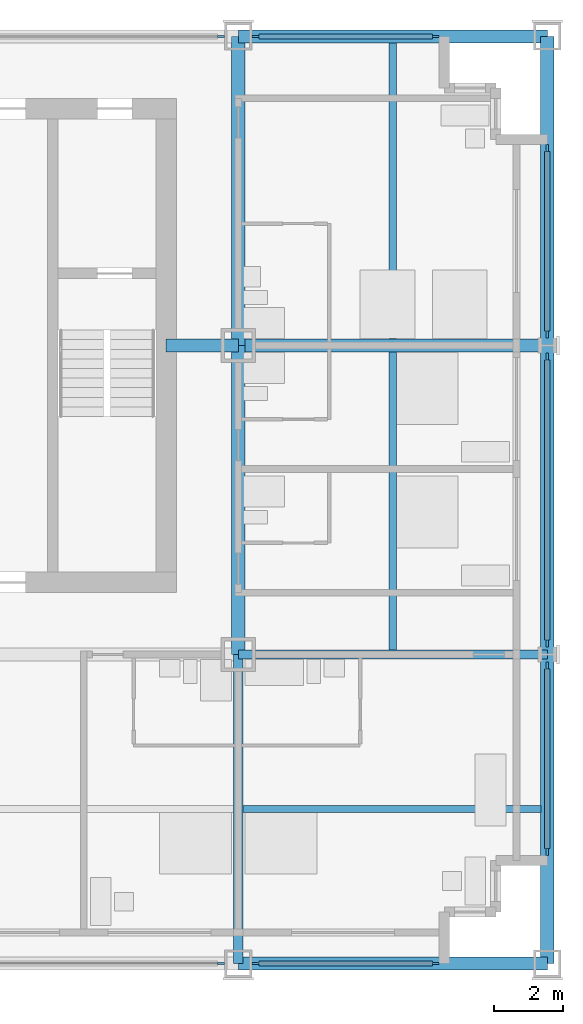
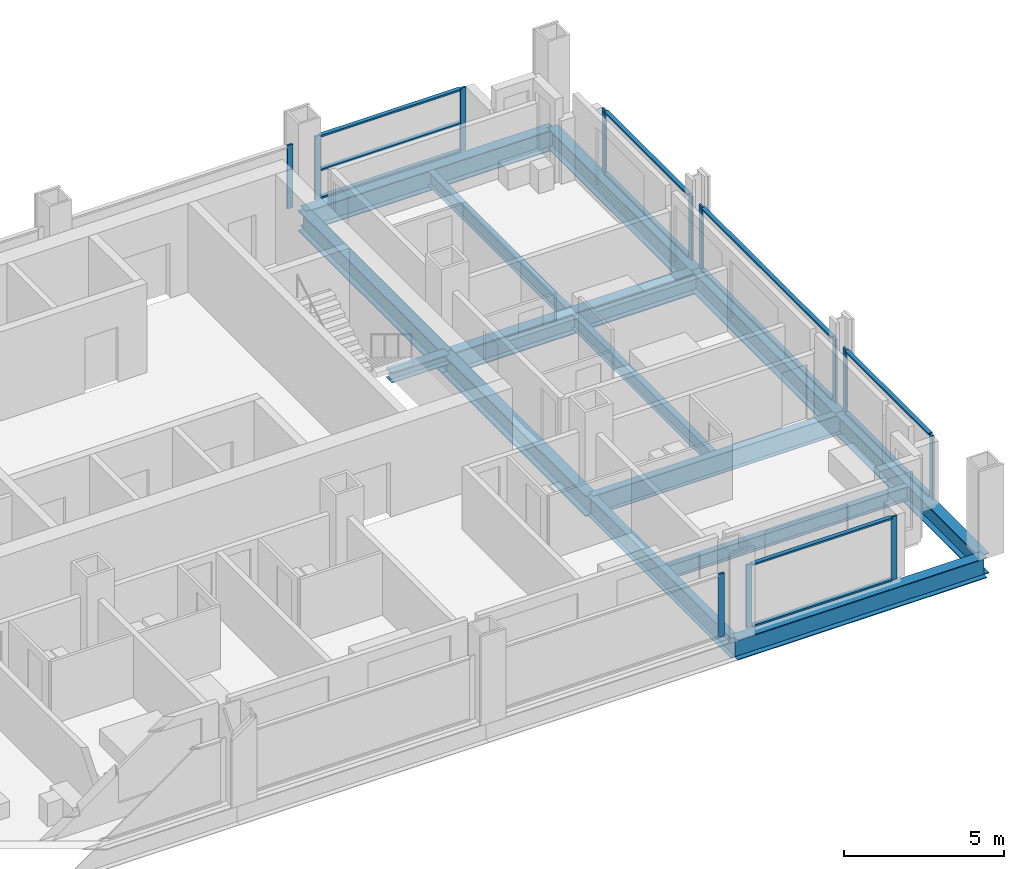
# One storey, part 5 of 13: 24 members, 13 beams, 7 elements without a shape of their own.
"""IFC4 building model written with IfcOpenShell, lengths in metres."""

from ifc_helpers import new_model, si_unit, direction, frame, origin, origin_2d, place, context, subcontext, project, spatial, rectangle, i_section, extrude, material, material_profile, profile_set, type_object, element, aggregate, save


model = new_model("IFC4")

# Units and contexts
model_context = context("Model", 3, precision=1e-05, world=origin(), true_north=direction((0.0, 1.0)))
body_context = subcontext(model_context, "Body", "Model", "MODEL_VIEW")
ifc_project = project(units=[si_unit("LENGTHUNIT", "METRE"), si_unit("AREAUNIT", "SQUARE_METRE"), si_unit("VOLUMEUNIT", "CUBIC_METRE"), si_unit("PLANEANGLEUNIT", "RADIAN"), si_unit("MASSUNIT", "GRAM", prefix="KILO")], contexts=[model_context])

# Site, building, storey
site_placement = place(None, origin())
site = spatial("IfcSite", under=ifc_project, at=site_placement, CompositionType="ELEMENT")
building_placement = place(site_placement, origin())
building = spatial("IfcBuilding", under=site, at=building_placement, Name="Loomwork Tower", CompositionType="ELEMENT")
storey_placement = place(building_placement, frame((0.0, 0.0, 163.800048828125)))
storey = spatial("IfcBuildingStorey", under=building, at=storey_placement, Name="L44", CompositionType="ELEMENT", Elevation=163.800048828125)

# Beams
ifc_material_1 = material(Name="Steel ASTM A992", Category="steel")
ifc_material_profile_1 = material_profile(ifc_material_1, i_section(OverallWidth=0.383544921875, OverallDepth=0.794921875, WebThickness=0.02099609375, FlangeThickness=0.0380859375, at=origin_2d()), Name="W30x235")
ifc_profile_set_1 = profile_set([ifc_material_profile_1], Name="Steel ASTM A992")
beam_type_1 = type_object("IfcBeamType", Name="CORE FLANK GIRDER W30x235", PredefinedType="BEAM", material=ifc_profile_set_1)
for number, where, z_axis, x_axis, name in (
    (1, (36.0, 18.0, -0.59765625), (1.0, 0.0, 0.0), (0.0, 1.0, 0.0), "Core Flank Girder F/6-F/7 L44"),
    (2, (36.0, 9.0, -0.59765625), (0.0, 1.0, 0.0), (-1.0, 0.0, 0.0), "Core Flank Girder E/6-F/6 L44"),
    (3, (36.0, 18.0, -0.59765625), (0.0, 1.0, 0.0), (-1.0, 0.0, 0.0), "Core Flank Girder F/6-G/6 L44"),
):
    element("IfcBeam", number, at=place(storey_placement, frame(where, z_axis=z_axis, x_axis=x_axis)), inside=storey, type_object=beam_type_1, Name=name, PredefinedType="BEAM", context=body_context, shape_type="SweptSolid", body=[
        extrude(i_section(OverallWidth=0.383544921875, OverallDepth=0.794921875, WebThickness=0.02099609375, FlangeThickness=0.0380859375, at=origin_2d()), origin(), (0.0, 0.0, 1.0), 9.0),
    ])

# Member
ifc_material_2 = material(Name="Steel ASTM A992", Category="steel")
ifc_material_profile_2 = material_profile(ifc_material_2, i_section(OverallWidth=0.373291015625, OverallDepth=0.373291015625, WebThickness=0.016357421875, FlangeThickness=0.026123046875, at=origin_2d()), Name="W14x132")
ifc_profile_set_2 = profile_set([ifc_material_profile_2], Name="Steel ASTM A992")
member_type_1 = type_object("IfcMemberType", Name="CORE LINK STRUT W14x132", PredefinedType="STRUT", material=ifc_profile_set_2)
member_1_placement = place(storey_placement, frame((36.0, 18.0, -0.38671875), z_axis=(-1.0, 0.0, 0.0), x_axis=(0.0, -1.0, 0.0)))
element("IfcMember", 4, at=member_1_placement, inside=storey, type_object=member_type_1, Name="Core link strut F/6-33.900,18.000 L44", PredefinedType="STRUT", context=body_context, shape_type="SweptSolid", body=[
    extrude(i_section(OverallWidth=0.373291015625, OverallDepth=0.373291015625, WebThickness=0.016357421875, FlangeThickness=0.026123046875, at=origin_2d()), origin(), (0.0, 0.0, 1.0), 2.10009765625),
])

# Beams
ifc_material_3 = material(Name="Steel ASTM A992", Category="steel")
ifc_material_profile_3 = material_profile(ifc_material_3, i_section(OverallWidth=0.2666015625, OverallDepth=0.761962890625, WebThickness=0.014404296875, FlangeThickness=0.021484375, at=origin_2d()), Name="W30x116")
ifc_profile_set_3 = profile_set([ifc_material_profile_3], Name="Steel ASTM A992")
beam_type_2 = type_object("IfcBeamType", Name="FLOOR GIRDER W30x116", PredefinedType="BEAM", material=ifc_profile_set_3)
for number, where, z_axis, x_axis, name in (
    (5, (36.0, 9.0, -0.5810546875), (1.0, 0.0, 0.0), (0.0, 1.0, 0.0), "Floor Girder E/6-E/7 L44"),
    (6, (36.0, 0.0, -0.5810546875), (0.0, 1.0, 0.0), (-1.0, 0.0, 0.0), "Floor Girder D/6-E/6 L44"),
):
    element("IfcBeam", number, at=place(storey_placement, frame(where, z_axis=z_axis, x_axis=x_axis)), inside=storey, type_object=beam_type_2, Name=name, PredefinedType="BEAM", context=body_context, shape_type="SweptSolid", body=[
        extrude(i_section(OverallWidth=0.2666015625, OverallDepth=0.761962890625, WebThickness=0.014404296875, FlangeThickness=0.021484375, at=origin_2d()), origin(), (0.0, 0.0, 1.0), 9.0),
    ])
ifc_material_4 = material(Name="Steel ASTM A992", Category="steel")
ifc_material_profile_4 = material_profile(ifc_material_4, i_section(OverallWidth=0.2109375, OverallDepth=0.53857421875, WebThickness=0.011474609375, FlangeThickness=0.018798828125, at=origin_2d()), Name="W21x73")
ifc_profile_set_4 = profile_set([ifc_material_profile_4], Name="Steel ASTM A992")
beam_type_3 = type_object("IfcBeamType", Name="FLOOR JOIST W21x73", PredefinedType="JOIST", material=ifc_profile_set_4)
beam_1_placement = place(storey_placement, frame((36.133056640625, 4.5, -0.46923828125), z_axis=(1.0, 0.0, 0.0), x_axis=(0.0, 1.0, 0.0)))
element("IfcBeam", 7, at=beam_1_placement, inside=storey, type_object=beam_type_3, Name="Floor Joist 36.000,4.500-45.000,4.500 L44", PredefinedType="JOIST", context=body_context, shape_type="SweptSolid", body=[
    extrude(i_section(OverallWidth=0.2109375, OverallDepth=0.53857421875, WebThickness=0.011474609375, FlangeThickness=0.018798828125, at=origin_2d()), origin(), (0.0, 0.0, 1.0), 8.677001953125),
])
beam_2_placement = place(storey_placement, frame((40.5, 9.133056640625, -0.46923828125), z_axis=(0.0, 1.0, 0.0), x_axis=(-1.0, 0.0, 0.0)))
element("IfcBeam", 8, at=beam_2_placement, inside=storey, type_object=beam_type_3, Name="Floor Joist 40.500,9.000-40.500,18.000 L44", PredefinedType="JOIST", context=body_context, shape_type="SweptSolid", body=[
    extrude(i_section(OverallWidth=0.2109375, OverallDepth=0.53857421875, WebThickness=0.011474609375, FlangeThickness=0.018798828125, at=origin_2d()), origin(), (0.0, 0.0, 1.0), 8.676025390625),
])
beam_3_placement = place(storey_placement, frame((40.5, 18.19091796875, -0.46923828125), z_axis=(0.0, 1.0, 0.0), x_axis=(-1.0, 0.0, 0.0)))
element("IfcBeam", 9, at=beam_3_placement, inside=storey, type_object=beam_type_3, Name="Floor Joist 40.500,18.000-40.500,27.000 L44", PredefinedType="JOIST", context=body_context, shape_type="SweptSolid", body=[
    extrude(i_section(OverallWidth=0.2109375, OverallDepth=0.53857421875, WebThickness=0.011474609375, FlangeThickness=0.018798828125, at=origin_2d()), origin(), (0.0, 0.0, 1.0), 8.619140625),
])

# Curtain wall, member
ifc_material_5 = material(Name="Aluminium curtain wall frame", Category="aluminium")
curtain_wall_type_1 = type_object("IfcCurtainWallType", Name="Outer skin glazing hotel", PredefinedType="NOTDEFINED", material=ifc_material_5)
curtain_wall_1_placement = place(storey_placement, origin())
curtain_wall_1 = element("IfcCurtainWall", 10, at=curtain_wall_1_placement, inside=storey, type_object=curtain_wall_type_1, Name="Outer skin glazing hotel cw/S-27", PredefinedType="NOTDEFINED")
ifc_material_6 = material(Name="Aluminium curtain wall frame", Category="aluminium")
ifc_material_profile_5 = material_profile(ifc_material_6, rectangle(XDim=0.06494140625, YDim=0.199951171875, at=origin_2d()), Name="AL 65x200")
ifc_profile_set_5 = profile_set([ifc_material_profile_5], Name="Aluminium curtain wall frame")
member_type_2 = type_object("IfcMemberType", Name="Outer skin glazing hotel mullion", PredefinedType="MULLION", material=ifc_profile_set_5)
member_2_placement = place(storey_placement, frame((35.5, 0.0, 0.0), z_axis=(0.0, 0.0, 1.0), x_axis=(0.0, 1.0, 0.0)))
member_2 = element("IfcMember", 11, at=member_2_placement, type_object=member_type_2, Name="CW1 mullion 2", PredefinedType="MULLION", context=body_context, shape_type="SweptSolid", body=[
    extrude(rectangle(XDim=0.06494140625, YDim=0.199951171875, at=origin_2d()), origin(), (0.0, 0.0, 1.0), 2.420166015625),
])
aggregate(curtain_wall_1, [member_2])

# Curtain wall, members
curtain_wall_2_placement = place(storey_placement, origin())
curtain_wall_2 = element("IfcCurtainWall", 12, at=curtain_wall_2_placement, inside=storey, type_object=curtain_wall_type_1, Name="Outer skin glazing hotel cw/S-36", PredefinedType="NOTDEFINED")
member_3_placement = place(storey_placement, frame((36.5, 0.0, 0.0), z_axis=(0.0, 0.0, 1.0), x_axis=(0.0, 1.0, 0.0)))
member_3 = element("IfcMember", 13, at=member_3_placement, type_object=member_type_2, Name="CW1 mullion 1", PredefinedType="MULLION", context=body_context, shape_type="SweptSolid", body=[
    extrude(rectangle(XDim=0.06494140625, YDim=0.199951171875, at=origin_2d()), origin(), (0.0, 0.0, 1.0), 2.420166015625),
])
member_4_placement = place(storey_placement, frame((41.75, 0.0, 0.0), z_axis=(0.0, 0.0, 1.0), x_axis=(0.0, 1.0, 0.0)))
member_4 = element("IfcMember", 14, at=member_4_placement, type_object=member_type_2, Name="CW1 mullion 2", PredefinedType="MULLION", context=body_context, shape_type="SweptSolid", body=[
    extrude(rectangle(XDim=0.06494140625, YDim=0.199951171875, at=origin_2d()), origin(), (0.0, 0.0, 1.0), 2.420166015625),
])

curtain_wall_3_placement = place(storey_placement, origin())
curtain_wall_3 = element("IfcCurtainWall", 15, at=curtain_wall_3_placement, inside=storey, type_object=curtain_wall_type_1, Name="Outer skin glazing hotel cw/E-0", PredefinedType="NOTDEFINED")
member_5_placement = place(storey_placement, frame((45.0, 3.25, 0.0), z_axis=(0.0, 0.0, 1.0), x_axis=(-1.0, 0.0, 0.0)))
member_5 = element("IfcMember", 16, at=member_5_placement, type_object=member_type_2, Name="CW1 mullion 1", PredefinedType="MULLION", context=body_context, shape_type="SweptSolid", body=[
    extrude(rectangle(XDim=0.06494140625, YDim=0.199951171875, at=origin_2d()), origin(), (0.0, 0.0, 1.0), 2.420166015625),
])
member_6_placement = place(storey_placement, frame((45.0, 8.67529296875, 0.0), z_axis=(0.0, 0.0, 1.0), x_axis=(-1.0, 0.0, 0.0)))
member_6 = element("IfcMember", 17, at=member_6_placement, type_object=member_type_2, Name="CW1 mullion 2", PredefinedType="MULLION", context=body_context, shape_type="SweptSolid", body=[
    extrude(rectangle(XDim=0.06494140625, YDim=0.199951171875, at=origin_2d()), origin(), (0.0, 0.0, 1.0), 2.420166015625),
])

curtain_wall_4_placement = place(storey_placement, origin())
curtain_wall_4 = element("IfcCurtainWall", 18, at=curtain_wall_4_placement, inside=storey, type_object=curtain_wall_type_1, Name="Outer skin glazing hotel cw/E-9", PredefinedType="NOTDEFINED")
member_7_placement = place(storey_placement, frame((45.0, 9.32470703125, 0.0), z_axis=(0.0, 0.0, 1.0), x_axis=(-1.0, 0.0, 0.0)))
member_7 = element("IfcMember", 19, at=member_7_placement, type_object=member_type_2, Name="CW1 mullion 1", PredefinedType="MULLION", context=body_context, shape_type="SweptSolid", body=[
    extrude(rectangle(XDim=0.06494140625, YDim=0.199951171875, at=origin_2d()), origin(), (0.0, 0.0, 1.0), 2.420166015625),
])
member_8_placement = place(storey_placement, frame((45.0, 17.67529296875, 0.0), z_axis=(0.0, 0.0, 1.0), x_axis=(-1.0, 0.0, 0.0)))
member_8 = element("IfcMember", 20, at=member_8_placement, type_object=member_type_2, Name="CW1 mullion 2", PredefinedType="MULLION", context=body_context, shape_type="SweptSolid", body=[
    extrude(rectangle(XDim=0.06494140625, YDim=0.199951171875, at=origin_2d()), origin(), (0.0, 0.0, 1.0), 2.420166015625),
])

curtain_wall_5_placement = place(storey_placement, origin())
curtain_wall_5 = element("IfcCurtainWall", 21, at=curtain_wall_5_placement, inside=storey, type_object=curtain_wall_type_1, Name="Outer skin glazing hotel cw/E-18", PredefinedType="NOTDEFINED")
member_9_placement = place(storey_placement, frame((45.0, 18.32470703125, 0.0), z_axis=(0.0, 0.0, 1.0), x_axis=(-1.0, 0.0, 0.0)))
member_9 = element("IfcMember", 22, at=member_9_placement, type_object=member_type_2, Name="CW1 mullion 1", PredefinedType="MULLION", context=body_context, shape_type="SweptSolid", body=[
    extrude(rectangle(XDim=0.06494140625, YDim=0.199951171875, at=origin_2d()), origin(), (0.0, 0.0, 1.0), 2.420166015625),
])
member_10_placement = place(storey_placement, frame((45.0, 23.75, 0.0), z_axis=(0.0, 0.0, 1.0), x_axis=(-1.0, 0.0, 0.0)))
member_10 = element("IfcMember", 23, at=member_10_placement, type_object=member_type_2, Name="CW1 mullion 2", PredefinedType="MULLION", context=body_context, shape_type="SweptSolid", body=[
    extrude(rectangle(XDim=0.06494140625, YDim=0.199951171875, at=origin_2d()), origin(), (0.0, 0.0, 1.0), 2.420166015625),
])

# Member
ifc_material_7 = material(Name="Aluminium curtain wall frame", Category="aluminium")
ifc_material_profile_6 = material_profile(ifc_material_7, rectangle(XDim=0.14990234375, YDim=0.06494140625, at=origin_2d()), Name="AL 65x150")
ifc_profile_set_6 = profile_set([ifc_material_profile_6], Name="Aluminium curtain wall frame")
member_type_3 = type_object("IfcMemberType", Name="Outer skin glazing hotel transom", PredefinedType="USERDEFINED", material=ifc_profile_set_6)
member_11_placement = place(storey_placement, frame((36.60009765625, 0.0, 0.032470703125), z_axis=(1.0, 0.0, 0.0), x_axis=(0.0, 1.0, 0.0)))
member_11 = element("IfcMember", 24, at=member_11_placement, type_object=member_type_3, Name="CW1 transom 1.1", ObjectType="TRANSOM", PredefinedType="USERDEFINED", context=body_context, shape_type="SweptSolid", body=[
    extrude(rectangle(XDim=0.14990234375, YDim=0.06494140625, at=origin_2d()), origin(), (0.0, 0.0, 1.0), 5.0498046875),
])

member_12_placement = place(storey_placement, frame((36.60009765625, 0.0, 2.3876953125), z_axis=(1.0, 0.0, 0.0), x_axis=(0.0, 1.0, 0.0)))
member_12 = element("IfcMember", 25, at=member_12_placement, type_object=member_type_3, Name="CW1 transom 1.2", ObjectType="TRANSOM", PredefinedType="USERDEFINED", context=body_context, shape_type="SweptSolid", body=[
    extrude(rectangle(XDim=0.14990234375, YDim=0.06494140625, at=origin_2d()), origin(), (0.0, 0.0, 1.0), 5.0498046875),
])

aggregate(curtain_wall_2, [member_3, member_4, member_11, member_12])

member_13_placement = place(storey_placement, frame((45.0, 3.35009765625, 0.032470703125), z_axis=(0.0, 1.0, 0.0), x_axis=(-1.0, 0.0, 0.0)))
member_13 = element("IfcMember", 26, at=member_13_placement, type_object=member_type_3, Name="CW1 transom 1.1", ObjectType="TRANSOM", PredefinedType="USERDEFINED", context=body_context, shape_type="SweptSolid", body=[
    extrude(rectangle(XDim=0.14990234375, YDim=0.06494140625, at=origin_2d()), origin(), (0.0, 0.0, 1.0), 5.22509765625),
])

member_14_placement = place(storey_placement, frame((45.0, 3.35009765625, 2.3876953125), z_axis=(0.0, 1.0, 0.0), x_axis=(-1.0, 0.0, 0.0)))
member_14 = element("IfcMember", 27, at=member_14_placement, type_object=member_type_3, Name="CW1 transom 1.2", ObjectType="TRANSOM", PredefinedType="USERDEFINED", context=body_context, shape_type="SweptSolid", body=[
    extrude(rectangle(XDim=0.14990234375, YDim=0.06494140625, at=origin_2d()), origin(), (0.0, 0.0, 1.0), 5.22509765625),
])

aggregate(curtain_wall_3, [member_5, member_6, member_13, member_14])

member_15_placement = place(storey_placement, frame((45.0, 9.4248046875, 0.032470703125), z_axis=(0.0, 1.0, 0.0), x_axis=(-1.0, 0.0, 0.0)))
member_15 = element("IfcMember", 28, at=member_15_placement, type_object=member_type_3, Name="CW1 transom 1.1", ObjectType="TRANSOM", PredefinedType="USERDEFINED", context=body_context, shape_type="SweptSolid", body=[
    extrude(rectangle(XDim=0.14990234375, YDim=0.06494140625, at=origin_2d()), origin(), (0.0, 0.0, 1.0), 8.150390625),
])

member_16_placement = place(storey_placement, frame((45.0, 9.4248046875, 2.3876953125), z_axis=(0.0, 1.0, 0.0), x_axis=(-1.0, 0.0, 0.0)))
member_16 = element("IfcMember", 29, at=member_16_placement, type_object=member_type_3, Name="CW1 transom 1.2", ObjectType="TRANSOM", PredefinedType="USERDEFINED", context=body_context, shape_type="SweptSolid", body=[
    extrude(rectangle(XDim=0.14990234375, YDim=0.06494140625, at=origin_2d()), origin(), (0.0, 0.0, 1.0), 8.150390625),
])

aggregate(curtain_wall_4, [member_7, member_8, member_15, member_16])

member_17_placement = place(storey_placement, frame((45.0, 18.4248046875, 0.032470703125), z_axis=(0.0, 1.0, 0.0), x_axis=(-1.0, 0.0, 0.0)))
member_17 = element("IfcMember", 30, at=member_17_placement, type_object=member_type_3, Name="CW1 transom 1.1", ObjectType="TRANSOM", PredefinedType="USERDEFINED", context=body_context, shape_type="SweptSolid", body=[
    extrude(rectangle(XDim=0.14990234375, YDim=0.06494140625, at=origin_2d()), origin(), (0.0, 0.0, 1.0), 5.22509765625),
])

member_18_placement = place(storey_placement, frame((45.0, 18.4248046875, 2.3876953125), z_axis=(0.0, 1.0, 0.0), x_axis=(-1.0, 0.0, 0.0)))
member_18 = element("IfcMember", 31, at=member_18_placement, type_object=member_type_3, Name="CW1 transom 1.2", ObjectType="TRANSOM", PredefinedType="USERDEFINED", context=body_context, shape_type="SweptSolid", body=[
    extrude(rectangle(XDim=0.14990234375, YDim=0.06494140625, at=origin_2d()), origin(), (0.0, 0.0, 1.0), 5.22509765625),
])

aggregate(curtain_wall_5, [member_9, member_10, member_17, member_18])

# Beams
ifc_material_8 = material(Name="Steel ASTM A992", Category="steel")
ifc_material_profile_7 = material_profile(ifc_material_8, i_section(OverallWidth=0.381103515625, OverallDepth=0.77978515625, WebThickness=0.01806640625, FlangeThickness=0.0302734375, at=origin_2d()), Name="W30x191")
ifc_profile_set_7 = profile_set([ifc_material_profile_7], Name="Steel ASTM A992")
beam_type_4 = type_object("IfcBeamType", Name="SPANDREL GIRDER W30x191", PredefinedType="SPANDREL", material=ifc_profile_set_7)
for number, where, z_axis, x_axis, name in (
    (32, (36.0, 0.0, -0.58984375), (1.0, 0.0, 0.0), (0.0, 1.0, 0.0), "Spandrel Girder D/6-D/7 L44"),
    (33, (36.0, 27.0, -0.58984375), (1.0, 0.0, 0.0), (0.0, 1.0, 0.0), "Spandrel Girder G/6-G/7 L44"),
    (34, (45.0, 0.0, -0.58984375), (0.0, 1.0, 0.0), (-1.0, 0.0, 0.0), "Spandrel Girder D/7-E/7 L44"),
    (35, (45.0, 9.0, -0.58984375), (0.0, 1.0, 0.0), (-1.0, 0.0, 0.0), "Spandrel Girder E/7-F/7 L44"),
    (36, (45.0, 18.0, -0.58984375), (0.0, 1.0, 0.0), (-1.0, 0.0, 0.0), "Spandrel Girder F/7-G/7 L44"),
):
    element("IfcBeam", number, at=place(storey_placement, frame(where, z_axis=z_axis, x_axis=x_axis)), inside=storey, type_object=beam_type_4, Name=name, PredefinedType="SPANDREL", context=body_context, shape_type="SweptSolid", body=[
        extrude(i_section(OverallWidth=0.381103515625, OverallDepth=0.77978515625, WebThickness=0.01806640625, FlangeThickness=0.0302734375, at=origin_2d()), origin(), (0.0, 0.0, 1.0), 9.0),
    ])

# Curtain wall, member
ifc_material_9 = material(Name="Aluminium curtain wall frame", Category="aluminium")
curtain_wall_type_2 = type_object("IfcCurtainWallType", Name="Single skin glazing corridor", PredefinedType="NOTDEFINED", material=ifc_material_9)
curtain_wall_6_placement = place(storey_placement, origin())
curtain_wall_6 = element("IfcCurtainWall", 37, at=curtain_wall_6_placement, inside=storey, type_object=curtain_wall_type_2, Name="Single skin glazing corridor cw/N-27", PredefinedType="NOTDEFINED")
ifc_material_10 = material(Name="Aluminium curtain wall frame", Category="aluminium")
ifc_material_profile_8 = material_profile(ifc_material_10, rectangle(XDim=0.06494140625, YDim=0.199951171875, at=origin_2d()), Name="AL 65x200")
ifc_profile_set_8 = profile_set([ifc_material_profile_8], Name="Aluminium curtain wall frame")
member_type_4 = type_object("IfcMemberType", Name="Single skin glazing corridor mullion", PredefinedType="MULLION", material=ifc_profile_set_8)
member_19_placement = place(storey_placement, frame((35.5, 27.0, 0.0), z_axis=(0.0, 0.0, 1.0), x_axis=(0.0, -1.0, 0.0)))
member_19 = element("IfcMember", 38, at=member_19_placement, type_object=member_type_4, Name="CW3 mullion 1", PredefinedType="MULLION", context=body_context, shape_type="SweptSolid", body=[
    extrude(rectangle(XDim=0.06494140625, YDim=0.199951171875, at=origin_2d()), origin(), (0.0, 0.0, 1.0), 2.420166015625),
])
aggregate(curtain_wall_6, [member_19])

# Curtain wall, members
curtain_wall_7_placement = place(storey_placement, origin())
curtain_wall_7 = element("IfcCurtainWall", 39, at=curtain_wall_7_placement, inside=storey, type_object=curtain_wall_type_2, Name="Single skin glazing corridor cw/N-36", PredefinedType="NOTDEFINED")
member_20_placement = place(storey_placement, frame((41.75, 27.0, 0.0), z_axis=(0.0, 0.0, 1.0), x_axis=(0.0, -1.0, 0.0)))
member_20 = element("IfcMember", 40, at=member_20_placement, type_object=member_type_4, Name="CW3 mullion 1", PredefinedType="MULLION", context=body_context, shape_type="SweptSolid", body=[
    extrude(rectangle(XDim=0.06494140625, YDim=0.199951171875, at=origin_2d()), origin(), (0.0, 0.0, 1.0), 2.420166015625),
])
member_21_placement = place(storey_placement, frame((36.5, 27.0, 0.0), z_axis=(0.0, 0.0, 1.0), x_axis=(0.0, -1.0, 0.0)))
member_21 = element("IfcMember", 41, at=member_21_placement, type_object=member_type_4, Name="CW3 mullion 2", PredefinedType="MULLION", context=body_context, shape_type="SweptSolid", body=[
    extrude(rectangle(XDim=0.06494140625, YDim=0.199951171875, at=origin_2d()), origin(), (0.0, 0.0, 1.0), 2.420166015625),
])
ifc_material_11 = material(Name="Aluminium curtain wall frame", Category="aluminium")
ifc_material_profile_9 = material_profile(ifc_material_11, rectangle(XDim=0.14990234375, YDim=0.06494140625, at=origin_2d()), Name="AL 65x150")
ifc_profile_set_9 = profile_set([ifc_material_profile_9], Name="Aluminium curtain wall frame")
member_type_5 = type_object("IfcMemberType", Name="Single skin glazing corridor transom", PredefinedType="USERDEFINED", material=ifc_profile_set_9)
member_22_placement = place(storey_placement, frame((41.64990234375, 27.0, 0.032470703125), z_axis=(-1.0, 0.0, 0.0), x_axis=(0.0, -1.0, 0.0)))
member_22 = element("IfcMember", 42, at=member_22_placement, type_object=member_type_5, Name="CW3 transom 1.1", ObjectType="TRANSOM", PredefinedType="USERDEFINED", context=body_context, shape_type="SweptSolid", body=[
    extrude(rectangle(XDim=0.14990234375, YDim=0.06494140625, at=origin_2d()), origin(), (0.0, 0.0, 1.0), 5.0498046875),
])
member_23_placement = place(storey_placement, frame((41.64990234375, 27.0, 1.099853515625), z_axis=(-1.0, 0.0, 0.0), x_axis=(0.0, -1.0, 0.0)))
member_23 = element("IfcMember", 43, at=member_23_placement, type_object=member_type_5, Name="CW3 transom 1.2", ObjectType="TRANSOM", PredefinedType="USERDEFINED", context=body_context, shape_type="SweptSolid", body=[
    extrude(rectangle(XDim=0.14990234375, YDim=0.06494140625, at=origin_2d()), origin(), (0.0, 0.0, 1.0), 5.0498046875),
])
member_24_placement = place(storey_placement, frame((41.64990234375, 27.0, 2.3876953125), z_axis=(-1.0, 0.0, 0.0), x_axis=(0.0, -1.0, 0.0)))
member_24 = element("IfcMember", 44, at=member_24_placement, type_object=member_type_5, Name="CW3 transom 1.3", ObjectType="TRANSOM", PredefinedType="USERDEFINED", context=body_context, shape_type="SweptSolid", body=[
    extrude(rectangle(XDim=0.14990234375, YDim=0.06494140625, at=origin_2d()), origin(), (0.0, 0.0, 1.0), 5.0498046875),
])
aggregate(curtain_wall_7, [member_20, member_21, member_22, member_23, member_24])

save(model, "model.ifc")
